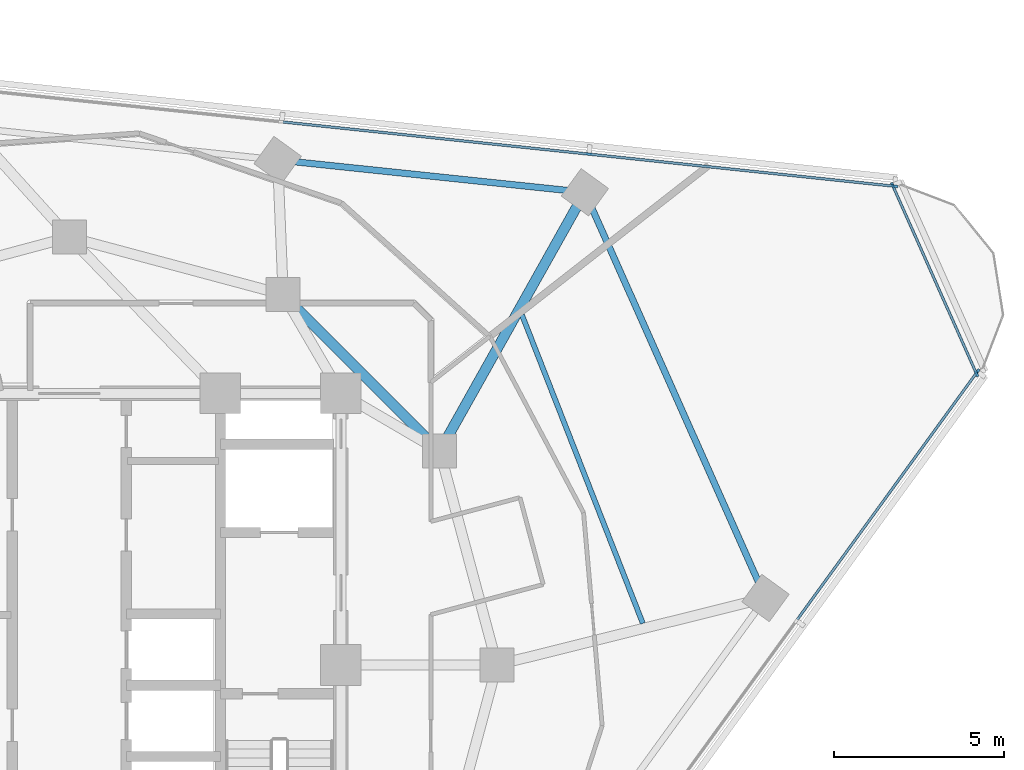
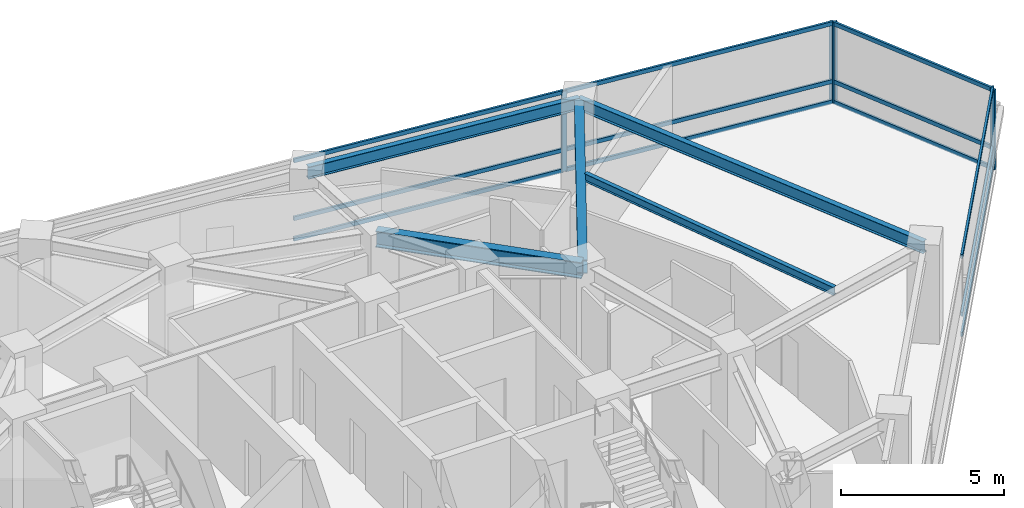
# One storey, part 6 of 14: 17 members, 5 beams, 3 elements without a shape of their own.
"""IFC4 building model written with IfcOpenShell, lengths in metres."""

from ifc_helpers import new_model, si_unit, direction, frame, origin, origin_2d, place, context, subcontext, project, spatial, rectangle, i_section, extrude, material, layer, layer_set, material_profile, profile_set, type_object, element, aggregate, save


model = new_model("IFC4")

# Units and contexts
model_context = context("Model", 3, precision=1e-05, world=origin(), true_north=direction((0.0, 1.0)))
body_context = subcontext(model_context, "Body", "Model", "MODEL_VIEW")
ifc_project = project(units=[si_unit("LENGTHUNIT", "METRE"), si_unit("AREAUNIT", "SQUARE_METRE"), si_unit("VOLUMEUNIT", "CUBIC_METRE"), si_unit("PLANEANGLEUNIT", "RADIAN"), si_unit("MASSUNIT", "GRAM", prefix="KILO")], contexts=[model_context])

# Site, building, storey
site_placement = place(None, origin())
site = spatial("IfcSite", under=ifc_project, at=site_placement, CompositionType="ELEMENT")
building_placement = place(site_placement, origin())
building = spatial("IfcBuilding", under=site, at=building_placement, Name="Terralouvre Media Tower", CompositionType="ELEMENT")
storey_placement = place(building_placement, frame((0.0, 0.0, 218.89990234375)))
storey = spatial("IfcBuildingStorey", under=building, at=storey_placement, Name="L56", CompositionType="ELEMENT", Elevation=218.89990234375)

# Beam
ifc_material_1 = material(Name="Structural steel S355J2", Category="steel")
ifc_material_profile_1 = material_profile(ifc_material_1, i_section(OverallWidth=0.14990234375, OverallDepth=0.300048828125, WebThickness=0.007080078125, FlangeThickness=0.0107421875, at=origin_2d()), Name="IPE 300")
ifc_profile_set_1 = profile_set([ifc_material_profile_1], Name="Structural steel S355J2")
beam_type_1 = type_object("IfcBeamType", Name="Composite Floor Joist J-IPE300 (IPE 300)", PredefinedType="JOIST", material=ifc_profile_set_1)
beam_1_placement = place(storey_placement, frame((16.89599609375, 1.2236328125, 3.35009765625), z_axis=(-0.364828295423, 0.931074817004, 0.0), x_axis=(-0.931074817004, -0.364828295423, 0.0)))
element("IfcBeam", 1, at=beam_1_placement, inside=storey, type_object=beam_type_1, Name="L56 Framing Beam JT-L56-03", PredefinedType="JOIST", context=body_context, shape_type="SweptSolid", body=[
    extrude(i_section(OverallWidth=0.14990234375, OverallDepth=0.300048828125, WebThickness=0.007080078125, FlangeThickness=0.0107421875, at=origin_2d()), origin(), (0.0, 0.0, 1.0), 9.763427734375),
])

# Curtain wall, members
ifc_material_2 = material(Name="Low-iron laminated double glazing with solar-control coating", Category="glass")
ifc_layer_1 = layer(ifc_material_2, 0.1650390625, Name="Upper Executive Tower Curtain Wall CW-05")
ifc_layer_set_1 = layer_set([ifc_layer_1], Name="Low-iron laminated double glazing with solar-control coating")
curtain_wall_type_1 = type_object("IfcCurtainWallType", Name="Upper Executive Tower Curtain Wall CW-05", PredefinedType="NOTDEFINED", material=ifc_layer_set_1)
curtain_wall_1_placement = place(storey_placement, origin())
curtain_wall_1 = element("IfcCurtainWall", 2, at=curtain_wall_1_placement, inside=storey, type_object=curtain_wall_type_1, Name="L56 Facade Curtain Wall F0", PredefinedType="NOTDEFINED")
ifc_material_3 = material(Name="Anodised extruded aluminium 6063-T6", Category="aluminium")
ifc_material_profile_2 = material_profile(ifc_material_3, rectangle(XDim=0.074951171875, YDim=0.14990234375, at=origin_2d()), Name="ALU 75x150")
ifc_profile_set_2 = profile_set([ifc_material_profile_2], Name="Anodised extruded aluminium 6063-T6")
member_type_1 = type_object("IfcMemberType", Name="Curtain-Wall Horizontal Transom TR-150", PredefinedType="USERDEFINED", material=ifc_profile_set_2)
member_1_placement = place(storey_placement, frame((21.446533203125, 1.3369140625, 0.03759765625), z_axis=(0.587787215692, 0.809015567878, 0.0), x_axis=(-0.809015567878, 0.587787215692, 0.0)))
member_1 = element("IfcMember", 3, at=member_1_placement, type_object=member_type_1, Name="CW-05 transom 5.1", ObjectType="TRANSOM", PredefinedType="USERDEFINED", context=body_context, shape_type="SweptSolid", body=[
    extrude(rectangle(XDim=0.074951171875, YDim=0.14990234375, at=origin_2d()), origin(), (0.0, 0.0, 1.0), 8.987548828125),
])
member_2_placement = place(storey_placement, frame((21.446533203125, 1.3369140625, 0.800048828125), z_axis=(0.587787215692, 0.809015567878, 0.0), x_axis=(-0.809015567878, 0.587787215692, 0.0)))
member_2 = element("IfcMember", 4, at=member_2_placement, type_object=member_type_1, Name="CW-05 transom 5.2", ObjectType="TRANSOM", PredefinedType="USERDEFINED", context=body_context, shape_type="SweptSolid", body=[
    extrude(rectangle(XDim=0.074951171875, YDim=0.14990234375, at=origin_2d()), origin(), (0.0, 0.0, 1.0), 8.987548828125),
])
member_3_placement = place(storey_placement, frame((21.446533203125, 1.3369140625, 2.962646484375), z_axis=(0.587787215692, 0.809015567878, 0.0), x_axis=(-0.809015567878, 0.587787215692, 0.0)))
member_3 = element("IfcMember", 5, at=member_3_placement, type_object=member_type_1, Name="CW-05 transom 5.3", ObjectType="TRANSOM", PredefinedType="USERDEFINED", context=body_context, shape_type="SweptSolid", body=[
    extrude(rectangle(XDim=0.074951171875, YDim=0.14990234375, at=origin_2d()), origin(), (0.0, 0.0, 1.0), 8.987548828125),
])

curtain_wall_2_placement = place(storey_placement, origin())
curtain_wall_2 = element("IfcCurtainWall", 6, at=curtain_wall_2_placement, inside=storey, type_object=curtain_wall_type_1, Name="L56 Facade Curtain Wall F1", PredefinedType="NOTDEFINED")
member_4_placement = place(storey_placement, frame((24.2822265625, 14.103759765625, 0.03759765625), z_axis=(-0.994521813919, 0.104529238206, 0.0), x_axis=(-0.104529238206, -0.994521813919, 0.0)))
member_4 = element("IfcMember", 7, at=member_4_placement, type_object=member_type_1, Name="CW-05 transom 1.1", ObjectType="TRANSOM", PredefinedType="USERDEFINED", context=body_context, shape_type="SweptSolid", body=[
    extrude(rectangle(XDim=0.074951171875, YDim=0.14990234375, at=origin_2d()), origin(), (0.0, 0.0, 1.0), 8.987548828125),
])
member_5_placement = place(storey_placement, frame((24.2822265625, 14.103759765625, 0.800048828125), z_axis=(-0.994521813919, 0.104529238206, 0.0), x_axis=(-0.104529238206, -0.994521813919, 0.0)))
member_5 = element("IfcMember", 8, at=member_5_placement, type_object=member_type_1, Name="CW-05 transom 1.2", ObjectType="TRANSOM", PredefinedType="USERDEFINED", context=body_context, shape_type="SweptSolid", body=[
    extrude(rectangle(XDim=0.074951171875, YDim=0.14990234375, at=origin_2d()), origin(), (0.0, 0.0, 1.0), 8.987548828125),
])
member_6_placement = place(storey_placement, frame((24.2822265625, 14.103759765625, 2.962646484375), z_axis=(-0.994521813919, 0.104529238206, 0.0), x_axis=(-0.104529238206, -0.994521813919, 0.0)))
member_6 = element("IfcMember", 9, at=member_6_placement, type_object=member_type_1, Name="CW-05 transom 1.3", ObjectType="TRANSOM", PredefinedType="USERDEFINED", context=body_context, shape_type="SweptSolid", body=[
    extrude(rectangle(XDim=0.074951171875, YDim=0.14990234375, at=origin_2d()), origin(), (0.0, 0.0, 1.0), 8.987548828125),
])
member_7_placement = place(storey_placement, frame((15.26953125, 15.051025390625, 0.03759765625), z_axis=(-0.994522041896, 0.104527069141, 0.0), x_axis=(-0.104527069141, -0.994522041896, 0.0)))
member_7 = element("IfcMember", 10, at=member_7_placement, type_object=member_type_1, Name="CW-05 transom 2.1", ObjectType="TRANSOM", PredefinedType="USERDEFINED", context=body_context, shape_type="SweptSolid", body=[
    extrude(rectangle(XDim=0.074951171875, YDim=0.14990234375, at=origin_2d()), origin(), (0.0, 0.0, 1.0), 9.025146484375),
])
member_8_placement = place(storey_placement, frame((15.26953125, 15.051025390625, 0.800048828125), z_axis=(-0.994522041896, 0.104527069141, 0.0), x_axis=(-0.104527069141, -0.994522041896, 0.0)))
member_8 = element("IfcMember", 11, at=member_8_placement, type_object=member_type_1, Name="CW-05 transom 2.2", ObjectType="TRANSOM", PredefinedType="USERDEFINED", context=body_context, shape_type="SweptSolid", body=[
    extrude(rectangle(XDim=0.074951171875, YDim=0.14990234375, at=origin_2d()), origin(), (0.0, 0.0, 1.0), 9.025146484375),
])
member_9_placement = place(storey_placement, frame((15.26953125, 15.051025390625, 2.962646484375), z_axis=(-0.994522041896, 0.104527069141, 0.0), x_axis=(-0.104527069141, -0.994522041896, 0.0)))
member_9 = element("IfcMember", 12, at=member_9_placement, type_object=member_type_1, Name="CW-05 transom 2.3", ObjectType="TRANSOM", PredefinedType="USERDEFINED", context=body_context, shape_type="SweptSolid", body=[
    extrude(rectangle(XDim=0.074951171875, YDim=0.14990234375, at=origin_2d()), origin(), (0.0, 0.0, 1.0), 9.025146484375),
])

ifc_material_4 = material(Name="Low-iron laminated double glazing with solar-control coating", Category="glass")
ifc_layer_2 = layer(ifc_material_4, 0.1650390625, Name="Rounded Wind-Corner Curved Glazing CW-04")
ifc_layer_set_2 = layer_set([ifc_layer_2], Name="Low-iron laminated double glazing with solar-control coating")
curtain_wall_type_2 = type_object("IfcCurtainWallType", Name="Rounded Wind-Corner Curved Glazing CW-04", PredefinedType="NOTDEFINED", material=ifc_layer_set_2)
curtain_wall_3_placement = place(storey_placement, origin())
curtain_wall_3 = element("IfcCurtainWall", 13, at=curtain_wall_3_placement, inside=storey, type_object=curtain_wall_type_2, Name="L56 Rounded Wind-Corner Curtain Wall C1", PredefinedType="NOTDEFINED")
member_10_placement = place(storey_placement, frame((26.7119140625, 8.609619140625, 0.03759765625), z_axis=(-0.406735002592, 0.913546188031, 0.0), x_axis=(-0.913546188031, -0.406735002592, 0.0)))
member_10 = element("IfcMember", 14, at=member_10_placement, type_object=member_type_1, Name="CW-04 transom 1.1", ObjectType="TRANSOM", PredefinedType="USERDEFINED", context=body_context, shape_type="SweptSolid", body=[
    extrude(rectangle(XDim=0.074951171875, YDim=0.14990234375, at=origin_2d()), origin(), (0.0, 0.0, 1.0), 5.998779296875),
])
member_11_placement = place(storey_placement, frame((26.7119140625, 8.609619140625, 0.800048828125), z_axis=(-0.406735002592, 0.913546188031, 0.0), x_axis=(-0.913546188031, -0.406735002592, 0.0)))
member_11 = element("IfcMember", 15, at=member_11_placement, type_object=member_type_1, Name="CW-04 transom 1.2", ObjectType="TRANSOM", PredefinedType="USERDEFINED", context=body_context, shape_type="SweptSolid", body=[
    extrude(rectangle(XDim=0.074951171875, YDim=0.14990234375, at=origin_2d()), origin(), (0.0, 0.0, 1.0), 5.998779296875),
])
member_12_placement = place(storey_placement, frame((26.7119140625, 8.609619140625, 2.962646484375), z_axis=(-0.406735002592, 0.913546188031, 0.0), x_axis=(-0.913546188031, -0.406735002592, 0.0)))
member_12 = element("IfcMember", 16, at=member_12_placement, type_object=member_type_1, Name="CW-04 transom 1.3", ObjectType="TRANSOM", PredefinedType="USERDEFINED", context=body_context, shape_type="SweptSolid", body=[
    extrude(rectangle(XDim=0.074951171875, YDim=0.14990234375, at=origin_2d()), origin(), (0.0, 0.0, 1.0), 5.998779296875),
])

# Member
ifc_material_5 = material(Name="Anodised extruded aluminium 6063-T6", Category="aluminium")
ifc_material_profile_3 = material_profile(ifc_material_5, rectangle(XDim=0.074951171875, YDim=0.179931640625, at=origin_2d()), Name="ALU 75x180")
ifc_profile_set_3 = profile_set([ifc_material_profile_3], Name="Anodised extruded aluminium 6063-T6")
member_type_2 = type_object("IfcMemberType", Name="Curtain-Wall Vertical Mullion ML-180", PredefinedType="MULLION", material=ifc_profile_set_3)
member_13_placement = place(storey_placement, frame((26.751220703125, 8.63818359375, 0.0), z_axis=(0.0, 0.0, 1.0), x_axis=(-0.809016959074, 0.587785300879, 0.0)))
member_13 = element("IfcMember", 17, at=member_13_placement, type_object=member_type_2, Name="CW-05 mullion 6", PredefinedType="MULLION", context=body_context, shape_type="SweptSolid", body=[
    extrude(rectangle(XDim=0.074951171875, YDim=0.179931640625, at=origin_2d()), origin(), (0.0, 0.0, 1.0), 3.0),
])

aggregate(curtain_wall_1, [member_13, member_1, member_2, member_3])

member_14_placement = place(storey_placement, frame((24.319580078125, 14.099853515625, 0.0), z_axis=(0.0, 0.0, 1.0), x_axis=(-0.104528561651, -0.994521885028, 0.0)))
member_14 = element("IfcMember", 18, at=member_14_placement, type_object=member_type_2, Name="CW-05 mullion 1", PredefinedType="MULLION", context=body_context, shape_type="SweptSolid", body=[
    extrude(rectangle(XDim=0.074951171875, YDim=0.179931640625, at=origin_2d()), origin(), (0.0, 0.0, 1.0), 3.0),
])

member_15_placement = place(storey_placement, frame((15.306640625, 15.047119140625, 0.0), z_axis=(0.0, 0.0, 1.0), x_axis=(-0.104528561651, -0.994521885028, 0.0)))
member_15 = element("IfcMember", 19, at=member_15_placement, type_object=member_type_2, Name="CW-05 mullion 2", PredefinedType="MULLION", context=body_context, shape_type="SweptSolid", body=[
    extrude(rectangle(XDim=0.074951171875, YDim=0.179931640625, at=origin_2d()), origin(), (0.0, 0.0, 1.0), 3.0),
])

aggregate(curtain_wall_2, [member_14, member_15, member_4, member_5, member_6, member_7, member_8, member_9])

member_16_placement = place(storey_placement, frame((26.727294921875, 8.575439453125, 0.0), z_axis=(0.0, 0.0, 1.0), x_axis=(-0.913545102243, -0.406737441315, 0.0)))
member_16 = element("IfcMember", 20, at=member_16_placement, type_object=member_type_2, Name="CW-04 mullion 1", PredefinedType="MULLION", context=body_context, shape_type="SweptSolid", body=[
    extrude(rectangle(XDim=0.074951171875, YDim=0.179931640625, at=origin_2d()), origin(), (0.0, 0.0, 1.0), 3.0),
])

member_17_placement = place(storey_placement, frame((24.2568359375, 14.1240234375, 0.0), z_axis=(0.0, 0.0, 1.0), x_axis=(-0.913545102243, -0.406737441315, 0.0)))
member_17 = element("IfcMember", 21, at=member_17_placement, type_object=member_type_2, Name="CW-04 mullion 2", PredefinedType="MULLION", context=body_context, shape_type="SweptSolid", body=[
    extrude(rectangle(XDim=0.074951171875, YDim=0.179931640625, at=origin_2d()), origin(), (0.0, 0.0, 1.0), 3.0),
])

aggregate(curtain_wall_3, [member_16, member_17, member_10, member_11, member_12])

# Beams
ifc_material_6 = material(Name="Structural steel S355J2", Category="steel")
ifc_material_profile_4 = material_profile(ifc_material_6, i_section(OverallWidth=0.18994140625, OverallDepth=0.449951171875, WebThickness=0.009521484375, FlangeThickness=0.0146484375, at=origin_2d()), Name="IPE 450")
ifc_profile_set_4 = profile_set([ifc_material_profile_4], Name="Structural steel S355J2")
beam_type_2 = type_object("IfcBeamType", Name="Perimeter Spandrel Beam SPB-450 (IPE 450)", PredefinedType="SPANDREL", material=ifc_profile_set_4)
beam_2_placement = place(storey_placement, frame((20.51025390625, 1.970703125, 3.275146484375), z_axis=(-0.406744336382, 0.913542032323, 0.0), x_axis=(-0.913542032323, -0.406744336382, 0.0)))
element("IfcBeam", 22, at=beam_2_placement, inside=storey, type_object=beam_type_2, Name="L56 Framing Beam BM-L56-PR07", PredefinedType="SPANDREL", context=body_context, shape_type="SweptSolid", body=[
    extrude(i_section(OverallWidth=0.18994140625, OverallDepth=0.449951171875, WebThickness=0.009521484375, FlangeThickness=0.0146484375, at=origin_2d()), origin(), (0.0, 0.0, 1.0), 13.083740234375),
])
beam_3_placement = place(storey_placement, frame((15.1884765625, 13.92333984375, 3.275146484375), z_axis=(-0.994522199081, 0.104525573596, 0.0), x_axis=(-0.104525573596, -0.994522199081, 0.0)))
element("IfcBeam", 23, at=beam_3_placement, inside=storey, type_object=beam_type_2, Name="L56 Framing Beam BM-L56-PR08", PredefinedType="SPANDREL", context=body_context, shape_type="SweptSolid", body=[
    extrude(i_section(OverallWidth=0.18994140625, OverallDepth=0.449951171875, WebThickness=0.009521484375, FlangeThickness=0.0146484375, at=origin_2d()), origin(), (0.0, 0.0, 1.0), 9.099853515625),
])
ifc_material_7 = material(Name="Structural steel S355J2", Category="steel")
ifc_material_profile_5 = material_profile(ifc_material_7, i_section(OverallWidth=0.300048828125, OverallDepth=0.5, WebThickness=0.014404296875, FlangeThickness=0.028076171875, at=origin_2d()), Name="HEB 500")
ifc_profile_set_5 = profile_set([ifc_material_profile_5], Name="Structural steel S355J2")
beam_type_3 = type_object("IfcBeamType", Name="Primary Floor Girder B-HEB500 (HEB 500)", PredefinedType="BEAM", material=ifc_profile_set_5)
beam_4_placement = place(storey_placement, frame((10.911865234375, 6.300048828125, 3.25), z_axis=(0.489262374018, 0.872136646042, 0.0), x_axis=(-0.872136646042, 0.489262374018, 0.0)))
element("IfcBeam", 24, at=beam_4_placement, inside=storey, type_object=beam_type_3, Name="L56 Framing Beam BM-L56-RD08", PredefinedType="BEAM", context=body_context, shape_type="SweptSolid", body=[
    extrude(i_section(OverallWidth=0.300048828125, OverallDepth=0.5, WebThickness=0.014404296875, FlangeThickness=0.028076171875, at=origin_2d()), origin(), (0.0, 0.0, 1.0), 8.740966796875),
])
ifc_material_8 = material(Name="Structural steel S460M", Category="steel")
ifc_material_profile_6 = material_profile(ifc_material_8, i_section(OverallWidth=0.300048828125, OverallDepth=0.60009765625, WebThickness=0.015380859375, FlangeThickness=0.030029296875, at=origin_2d()), Name="HEB 600")
ifc_profile_set_6 = profile_set([ifc_material_profile_6], Name="Structural steel S460M")
beam_type_4 = type_object("IfcBeamType", Name="Primary Floor Girder B-HEB600 (HEB 600)", PredefinedType="BEAM", material=ifc_profile_set_6)
beam_5_placement = place(storey_placement, frame((10.911865234375, 6.300048828125, 3.2001953125), z_axis=(-0.707106781187, 0.707106781187, 0.0), x_axis=(-0.707106781187, -0.707106781187, 0.0)))
element("IfcBeam", 25, at=beam_5_placement, inside=storey, type_object=beam_type_4, Name="L56 Framing Beam BM-L56-MR07", PredefinedType="BEAM", context=body_context, shape_type="SweptSolid", body=[
    extrude(i_section(OverallWidth=0.300048828125, OverallDepth=0.60009765625, WebThickness=0.015380859375, FlangeThickness=0.030029296875, at=origin_2d()), origin(), (0.0, 0.0, 1.0), 6.52197265625),
])

save(model, "model.ifc")
